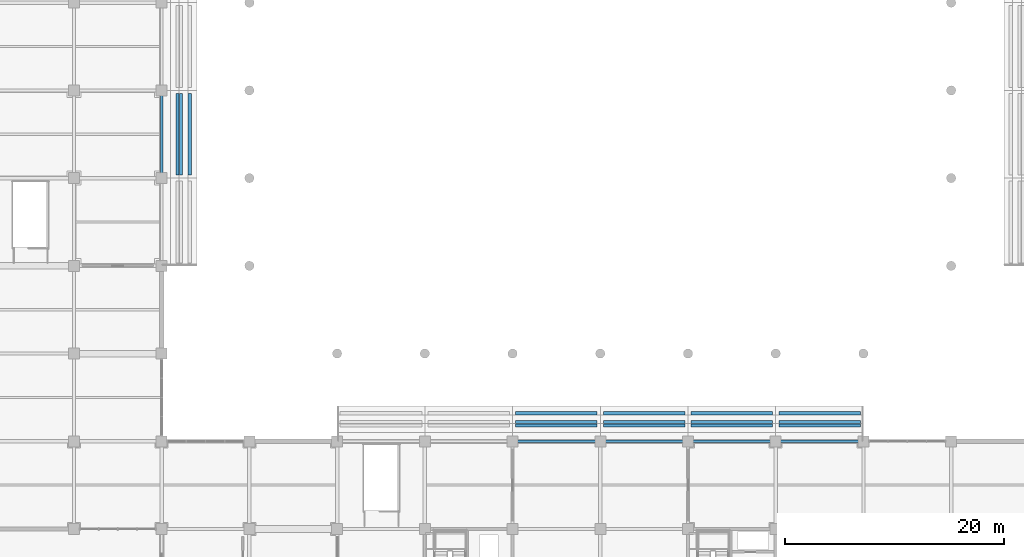
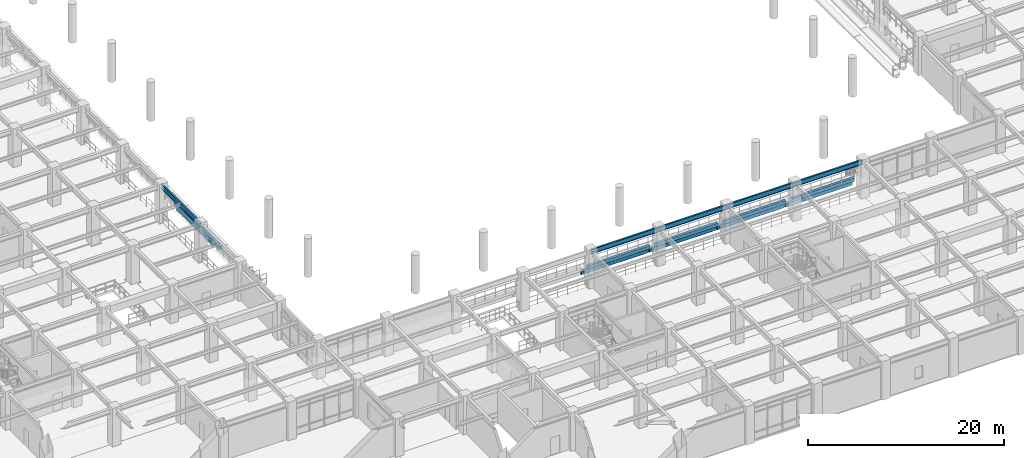
# One storey, part 18 of 117: 20 beams.
"""IFC4 building model written with IfcOpenShell, lengths in metres."""

import ifcopenshell
import ifcopenshell.guid

model = None  # the IFC model being written
_history = None  # IfcOwnerHistory: only IFC2X3 demands one
_inside = {}  # id of a spatial element -> (the spatial element, [elements in it])
_under = {}  # id of a project, library or spatial element -> (it, [spatial elements below it])
_declared = {}  # id of a project -> (the project, [libraries it declares])
_typed = {}  # id of a type object -> (the type object, [elements of that type])
_made_of = {}  # id of a material, layer set ... -> (it, [elements and type objects made of it])


def new_model(schema):
    """Start an empty IFC model of exactly this schema.

    Asked for "IFC4X3", IfcOpenShell would pick the latest addendum, in which some entities
    have other attributes; the version numbers below select the first issue.
    IFC2X3 requires an IfcOwnerHistory on every rooted entity: one is made here for all.
    """
    global model, _history
    if schema == "IFC4X3":
        model = ifcopenshell.file(schema_version=(4, 3, 0, 0))
    else:
        model = ifcopenshell.file(schema=schema)
    _inside.clear()
    _under.clear()
    _declared.clear()
    _typed.clear()
    _made_of.clear()
    _history = None
    if model.schema == "IFC2X3":
        org = make("IfcOrganization", Name="unknown")
        user = make(
            "IfcPersonAndOrganization",
            ThePerson=make("IfcPerson", FamilyName="unknown"),
            TheOrganization=org,
        )
        app = make(
            "IfcApplication",
            ApplicationDeveloper=org,
            Version="unknown",
            ApplicationFullName="unknown",
            ApplicationIdentifier="unknown",
        )
        _history = make(
            "IfcOwnerHistory",
            OwningUser=user,
            OwningApplication=app,
            ChangeAction="ADDED",
            CreationDate=0,
        )
    return model


def make(cls, **values):
    """One entity of the class cls with the attributes given. An attribute that is None is left unset."""
    return model.create_entity(
        cls, **{name: value for name, value in values.items() if value is not None}
    )


def rooted(cls, **values):
    """An entity with a GlobalId (a new one), such as an element, a storey or a relation."""
    return make(cls, GlobalId=ifcopenshell.guid.new(), OwnerHistory=_history, **values)


def si_unit(unit_type, name, prefix=None):
    """IfcSIUnit, for example si_unit("LENGTHUNIT", "METRE", prefix="MILLI")."""
    return make("IfcSIUnit", UnitType=unit_type, Prefix=prefix, Name=name)


def assignment(units):
    """IfcUnitAssignment: the units of a project."""
    return None if units is None else make("IfcUnitAssignment", Units=units)


def point(xyz):
    """IfcCartesianPoint."""
    return None if xyz is None else make("IfcCartesianPoint", Coordinates=xyz)


def direction(xyz):
    """IfcDirection."""
    return None if xyz is None else make("IfcDirection", DirectionRatios=xyz)


def frame(location, z_axis=None, x_axis=None):
    """IfcAxis2Placement3D, a coordinate frame: its origin and axes. An axis left out is left unset."""
    return make(
        "IfcAxis2Placement3D",
        Location=point(location),
        Axis=direction(z_axis),
        RefDirection=direction(x_axis),
    )


def frame_2d(location, x_axis=None):
    """IfcAxis2Placement2D, a coordinate frame in the plane: its origin and x axis."""
    return make(
        "IfcAxis2Placement2D", Location=point(location), RefDirection=direction(x_axis)
    )


def origin():
    """The frame at (0, 0, 0) with its axes left unset."""
    return frame((0.0, 0.0, 0.0))


def origin_2d():
    """The frame at (0, 0) in the plane with its x axis left unset."""
    return frame_2d((0.0, 0.0))


def place(relative_to, where):
    """IfcLocalPlacement: puts the frame where relative to a parent placement (None: the world)."""
    return make(
        "IfcLocalPlacement", PlacementRelTo=relative_to, RelativePlacement=where
    )


def context(
    kind, dimensions, precision=None, world=None, true_north=None, identifier=None
):
    """IfcGeometricRepresentationContext, for example the 3D "Model" context."""
    return make(
        "IfcGeometricRepresentationContext",
        ContextIdentifier=identifier,
        ContextType=kind,
        CoordinateSpaceDimension=dimensions,
        Precision=precision,
        WorldCoordinateSystem=world,
        TrueNorth=true_north,
    )


def subcontext(parent, identifier, kind, view, scale=None):
    """IfcGeometricRepresentationSubContext, for example "Body" below "Model"."""
    return make(
        "IfcGeometricRepresentationSubContext",
        ContextIdentifier=identifier,
        ContextType=kind,
        ParentContext=parent,
        TargetScale=scale,
        TargetView=view,
    )


def project(units=None, contexts=None):
    """IfcProject with its units and contexts."""
    return rooted(
        "IfcProject",
        Name="project",
        RepresentationContexts=contexts,
        UnitsInContext=assignment(units),
    )


def spatial(cls, under=None, at=None, **own):
    """A site, building, storey or space (cls), placed at a placement, below another one or the project."""
    s = rooted(cls, ObjectPlacement=at, **own)
    if under is not None:
        _under.setdefault(under.id(), (under, []))[1].append(s)
    return s


def profile(cls, at=None, kind="AREA", **sizes):
    """A parametric profile (cls). Its sizes go by their IFC names, for example OverallWidth=200.0."""
    return make(cls, ProfileType=kind, Position=at, **sizes)


def rectangle(**sizes):
    """IfcRectangleProfileDef."""
    return profile("IfcRectangleProfileDef", **sizes)


def i_section(**sizes):
    """IfcIShapeProfileDef."""
    return profile("IfcIShapeProfileDef", **sizes)


def extrude(swept, where, along, depth):
    """IfcExtrudedAreaSolid: the profile swept, set in the frame where, extruded along a direction by depth."""
    return make(
        "IfcExtrudedAreaSolid",
        SweptArea=swept,
        Position=where,
        ExtrudedDirection=direction(along),
        Depth=depth,
    )


def shape(context_of_items, identifier, shape_type, items):
    """IfcShapeRepresentation: the items that make up one representation, for example the "Body"."""
    return make(
        "IfcShapeRepresentation",
        ContextOfItems=context_of_items,
        RepresentationIdentifier=identifier,
        RepresentationType=shape_type,
        Items=items,
    )


def material(Name=None, Category=None):
    """IfcMaterial."""
    return make("IfcMaterial", Name=Name, Category=Category)


def material_profile(
    of_material, cross_section, Name=None, Category=None, Priority=None
):
    """IfcMaterialProfile: a cross section and its material."""
    return make(
        "IfcMaterialProfile",
        Name=Name,
        Material=of_material,
        Profile=cross_section,
        Priority=Priority,
        Category=Category,
    )


def profile_set(profiles, Name=None, composite=None):
    """IfcMaterialProfileSet."""
    return make(
        "IfcMaterialProfileSet",
        Name=Name,
        MaterialProfiles=profiles,
        CompositeProfile=composite,
    )


def made_of(thing, what):
    """Note that an element or type object is made of a material, layer set ...; save() writes the relation."""
    if what is not None:
        _made_of.setdefault(what.id(), (what, []))[1].append(thing)
    return thing


def type_object(cls, material=None, **own):
    """A type object (cls), such as IfcWallType, which elements share."""
    return made_of(rooted(cls, **own), material)


def element(
    cls,
    number,
    at=None,
    inside=None,
    cuts=None,
    type_object=None,
    material=None,
    context=None,
    identifier="Body",
    shape_type=None,
    held_by="IfcProductDefinitionShape",
    body=None,
    shapes=None,
    **own,
):
    """One element of the class cls, such as IfcWall. Its Tag is "e" and its number.

    at: its placement. inside: the storey or other place that contains it. cuts: it is an
    opening in that element (IfcRelVoidsElement). A single representation is given by context,
    identifier, shape_type and body (its items); several are given by shapes. held_by: the class
    of the entity that holds the representations. save() writes the other relations.
    """
    e = rooted(cls, Tag="e%d" % number, ObjectPlacement=at, **own)
    if body is not None:
        shapes = [shape(context, identifier, shape_type, body)]
    if shapes is not None:
        e.Representation = make(held_by, Representations=shapes)
    if inside is not None:
        _inside.setdefault(inside.id(), (inside, []))[1].append(e)
    if cuts is not None:
        rooted(
            "IfcRelVoidsElement", RelatingBuildingElement=cuts, RelatedOpeningElement=e
        )
    if type_object is not None:
        _typed.setdefault(type_object.id(), (type_object, []))[1].append(e)
    return made_of(e, material)


def aggregate(whole, parts):
    """IfcRelAggregates: a whole, such as a stair, and the parts it consists of."""
    return rooted("IfcRelAggregates", RelatingObject=whole, RelatedObjects=parts)


def save(model, path):
    """Write the relations noted so far, then the file.

    IfcRelAggregates (storeys below a building ...), IfcRelContainedInSpatialStructure (elements
    in a storey), IfcRelDefinesByType, IfcRelAssociatesMaterial and IfcRelDeclares: one each for
    every whole, place, type object, material and project.
    """
    for whole, parts in _under.values():
        aggregate(whole, parts)
    for where, things in _inside.values():
        rooted(
            "IfcRelContainedInSpatialStructure",
            RelatedElements=things,
            RelatingStructure=where,
        )
    for kind, things in _typed.values():
        rooted("IfcRelDefinesByType", RelatedObjects=things, RelatingType=kind)
    for what, things in _made_of.values():
        rooted("IfcRelAssociatesMaterial", RelatedObjects=things, RelatingMaterial=what)
    for by, libraries in _declared.values():
        rooted("IfcRelDeclares", RelatingContext=by, RelatedDefinitions=libraries)
    model.write(path)


model = new_model("IFC4")

# Units and contexts
model_context = context("Model", 3, precision=1e-05, world=origin(), true_north=direction((0.0, 1.0)))
body_context = subcontext(model_context, "Body", "Model", "MODEL_VIEW")
ifc_project = project(units=[si_unit("LENGTHUNIT", "METRE"), si_unit("AREAUNIT", "SQUARE_METRE"), si_unit("VOLUMEUNIT", "CUBIC_METRE"), si_unit("PLANEANGLEUNIT", "RADIAN"), si_unit("MASSUNIT", "GRAM", prefix="KILO")], contexts=[model_context])

# Site, building, storey
site_placement = place(None, origin())
site = spatial("IfcSite", under=ifc_project, at=site_placement, CompositionType="ELEMENT")
building_placement = place(site_placement, origin())
building = spatial("IfcBuilding", under=site, at=building_placement, Name="Haebicheon Civic Stadium", CompositionType="ELEMENT")
storey_placement = place(building_placement, frame((0.0, 0.0, 4.800048828125)))
storey = spatial("IfcBuildingStorey", under=building, at=storey_placement, Name="L02", CompositionType="ELEMENT", Elevation=4.800048828125)

# Beams
ifc_material_1 = material(Name="Precast concrete C40/50", Category="concrete")
ifc_material_profile_1 = material_profile(ifc_material_1, rectangle(XDim=0.300048828125, YDim=0.39990234375, at=origin_2d()), Name="PC-LN-300x400")
ifc_profile_set_1 = profile_set([ifc_material_profile_1], Name="Precast concrete C40/50")
beam_type_1 = type_object("IfcBeamType", Name="BM-LN-300x400", PredefinedType="LINTEL", material=ifc_profile_set_1)
for number, where, z_axis, x_axis, name in (
    (1, (66.56005859375, 56.280029296875, 0.22705078125), (0.0, 1.0, 0.0), (-1.0, 0.0, 0.0), "TIER-W-L precast step carrier beam 2.7"),
    (2, (65.760009765625, 56.280029296875, 0.93798828125), (0.0, 1.0, 0.0), (-1.0, 0.0, 0.0), "TIER-W-L precast step carrier beam 2.8"),
    (3, (65.43994140625, 56.280029296875, 1.64892578125), (0.0, 1.0, 0.0), (-1.0, 0.0, 0.0), "TIER-W-L precast step carrier beam 2.9"),
    (4, (96.280029296875, 34.56005859375, -0.0400390625), (1.0, 0.0, 0.0), (0.0, 1.0, 0.0), "TIER-S-L precast step carrier beam 3.7"),
    (5, (96.280029296875, 33.760009765625, 0.626953125), (1.0, 0.0, 0.0), (0.0, 1.0, 0.0), "TIER-S-L precast step carrier beam 3.8"),
    (6, (96.280029296875, 33.43994140625, 1.29296875), (1.0, 0.0, 0.0), (0.0, 1.0, 0.0), "TIER-S-L precast step carrier beam 3.9"),
    (7, (104.280029296875, 34.56005859375, -0.0400390625), (1.0, 0.0, 0.0), (0.0, 1.0, 0.0), "TIER-S-L precast step carrier beam 4.7"),
    (8, (104.280029296875, 33.760009765625, 0.626953125), (1.0, 0.0, 0.0), (0.0, 1.0, 0.0), "TIER-S-L precast step carrier beam 4.8"),
    (9, (104.280029296875, 33.43994140625, 1.29296875), (1.0, 0.0, 0.0), (0.0, 1.0, 0.0), "TIER-S-L precast step carrier beam 4.9"),
    (10, (112.280029296875, 34.56005859375, -0.0400390625), (1.0, 0.0, 0.0), (0.0, 1.0, 0.0), "TIER-S-L precast step carrier beam 5.7"),
    (11, (112.280029296875, 33.760009765625, 0.626953125), (1.0, 0.0, 0.0), (0.0, 1.0, 0.0), "TIER-S-L precast step carrier beam 5.8"),
    (12, (112.280029296875, 33.43994140625, 1.29296875), (1.0, 0.0, 0.0), (0.0, 1.0, 0.0), "TIER-S-L precast step carrier beam 5.9"),
    (13, (120.280029296875, 34.56005859375, -0.0400390625), (1.0, 0.0, 0.0), (0.0, 1.0, 0.0), "TIER-S-L precast step carrier beam 6.7"),
    (14, (120.280029296875, 33.760009765625, 0.626953125), (1.0, 0.0, 0.0), (0.0, 1.0, 0.0), "TIER-S-L precast step carrier beam 6.8"),
    (15, (120.280029296875, 33.43994140625, 1.29296875), (1.0, 0.0, 0.0), (0.0, 1.0, 0.0), "TIER-S-L precast step carrier beam 6.9"),
):
    element("IfcBeam", number, at=place(storey_placement, frame(where, z_axis=z_axis, x_axis=x_axis)), inside=storey, type_object=beam_type_1, material=ifc_profile_set_1, Name=name, PredefinedType="LINTEL", context=body_context, shape_type="SweptSolid", body=[
        extrude(rectangle(XDim=0.300048828125, YDim=0.39990234375, at=origin_2d()), origin(), (0.0, 0.0, 1.0), 7.43994140625),
    ])
ifc_material_2 = material(Name="Steel SM355 (S355)", Category="steel")
ifc_material_profile_2 = material_profile(ifc_material_2, i_section(OverallWidth=0.199951171875, OverallDepth=0.60009765625, WebThickness=0.010986328125, FlangeThickness=0.01708984375, at=origin_2d()), Name="H-600x200x11x17")
ifc_profile_set_2 = profile_set([ifc_material_profile_2], Name="Steel SM355 (S355)")
beam_type_2 = type_object("IfcBeamType", Name="SPD-ST-H600B", PredefinedType="SPANDREL", material=ifc_profile_set_2)
for number, where, z_axis, x_axis, name in (
    (16, (64.0, 56.0, 4.219970703125), (0.0, 1.0, 0.0), (-1.0, 0.0, 0.0), "L02 girder 9/H-J"),
    (17, (96.0, 32.0, 4.219970703125), (1.0, 0.0, 0.0), (0.0, 1.0, 0.0), "L02 beam E/13-14"),
    (18, (104.0, 32.0, 4.219970703125), (1.0, 0.0, 0.0), (0.0, 1.0, 0.0), "L02 beam E/14-15"),
    (19, (112.0, 32.0, 4.219970703125), (1.0, 0.0, 0.0), (0.0, 1.0, 0.0), "L02 beam E/15-16"),
    (20, (120.0, 32.0, 4.219970703125), (1.0, 0.0, 0.0), (0.0, 1.0, 0.0), "L02 beam E/16-17"),
):
    element("IfcBeam", number, at=place(storey_placement, frame(where, z_axis=z_axis, x_axis=x_axis)), inside=storey, type_object=beam_type_2, material=ifc_profile_set_2, Name=name, PredefinedType="SPANDREL", context=body_context, shape_type="SweptSolid", body=[
        extrude(i_section(OverallWidth=0.199951171875, OverallDepth=0.60009765625, WebThickness=0.010986328125, FlangeThickness=0.01708984375, at=origin_2d()), origin(), (0.0, 0.0, 1.0), 8.0),
    ])

save(model, "model.ifc")
